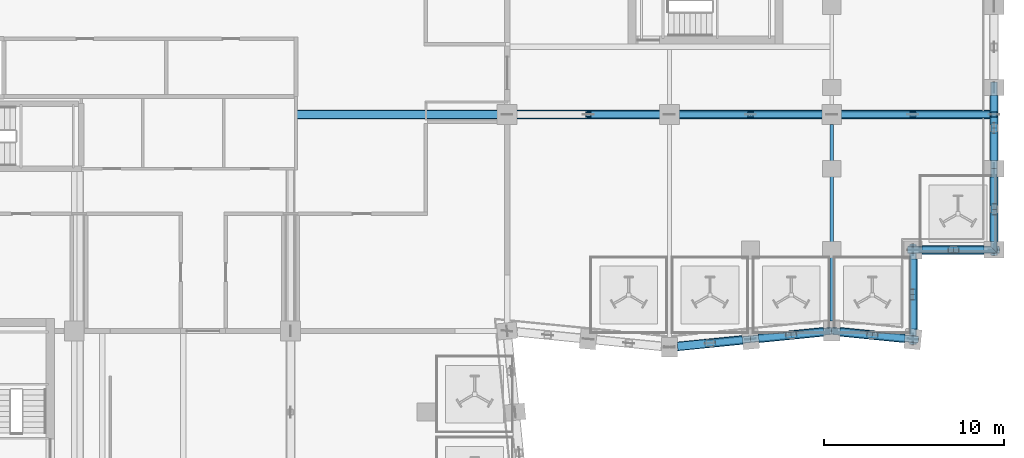
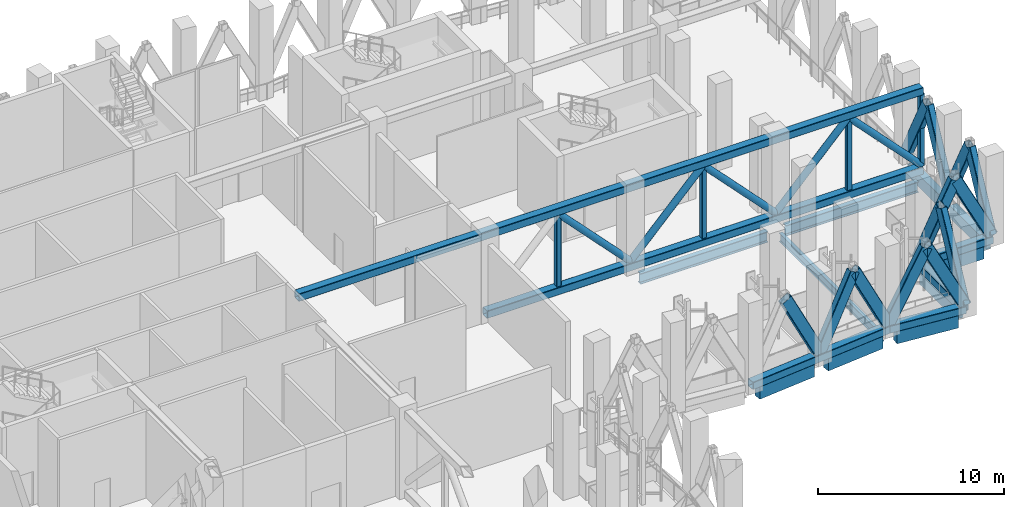
# One storey, part 4 of 28: 28 members, 10 beams.
"""IFC4 building model written with IfcOpenShell, lengths in metres."""

from ifc_helpers import new_model, si_unit, direction, frame, origin, origin_2d, place, context, subcontext, project, spatial, rectangle, hollow_rectangle, hollow_circle, i_section, extrude, material, material_profile, profile_set, type_object, element, save


model = new_model("IFC4")

# Units and contexts
model_context = context("Model", 3, precision=1e-05, world=origin(), true_north=direction((0.0, 1.0)))
body_context = subcontext(model_context, "Body", "Model", "MODEL_VIEW")
ifc_project = project(units=[si_unit("LENGTHUNIT", "METRE"), si_unit("AREAUNIT", "SQUARE_METRE"), si_unit("VOLUMEUNIT", "CUBIC_METRE"), si_unit("PLANEANGLEUNIT", "RADIAN"), si_unit("MASSUNIT", "GRAM", prefix="KILO")], contexts=[model_context])

# Site, building, storey
site_placement = place(None, origin())
site = spatial("IfcSite", under=ifc_project, at=site_placement, CompositionType="ELEMENT")
building_placement = place(site_placement, origin())
building = spatial("IfcBuilding", under=site, at=building_placement, Name="Brondeck Convention Tower", CompositionType="ELEMENT")
storey_placement = place(building_placement, frame((0.0, 0.0, 192.800048828125)))
storey = spatial("IfcBuildingStorey", under=building, at=storey_placement, Name="L47", CompositionType="ELEMENT", Elevation=192.800048828125)

# Members
ifc_material_1 = material(Name="Steel S460", Category="steel")
ifc_material_profile_1 = material_profile(ifc_material_1, hollow_rectangle(XDim=0.39990234375, YDim=0.699951171875, WallThickness=0.030029296875, InnerFilletRadius=0.030029296875, OuterFilletRadius=0.06005859375, at=origin_2d()), Name="RHS 700x400x30")
ifc_profile_set_1 = profile_set([ifc_material_profile_1], Name="Steel S460")
member_type_1 = type_object("IfcMemberType", Name="Chevron brace RHS 700x400x30", PredefinedType="BRACE", material=ifc_profile_set_1)
for number, where, z_axis, x_axis, name in (
    (1, (49.5, 26.550048828125, 0.5), (-0.451749471427, -0.045194554325, 0.89099936438), (0.099546478526, -0.995032913332, 0.0), "Belt truss BT-47-14 diagonal"),
    (2, (49.5, 26.550048828125, 0.5), (0.451750471668, 0.045145636329, 0.891001337186), (-0.099439578731, 0.995043602151, 0.0), "Belt truss BT-47-15 diagonal"),
    (3, (54.0, 27.0, 0.5), (-0.451749471427, -0.045194554325, 0.89099936438), (0.099546478526, -0.995032913332, 0.0), "Belt truss BT-47-15 diagonal"),
    (4, (54.0, 27.0, 0.5), (0.451749471427, -0.045194554325, 0.89099936438), (0.099546478526, 0.995032913332, 0.0), "Belt truss BT-47-16 diagonal"),
    (5, (58.5, 26.550048828125, 0.5), (-0.451750471668, 0.045145636329, 0.891001337186), (-0.099439578731, -0.995043602151, 0.0), "Belt truss BT-47-16 diagonal"),
):
    element("IfcMember", number, at=place(storey_placement, frame(where, z_axis=z_axis, x_axis=x_axis)), inside=storey, type_object=member_type_1, Name=name, PredefinedType="BRACE", context=body_context, shape_type="SweptSolid", body=[
        extrude(hollow_rectangle(XDim=0.39990234375, YDim=0.699951171875, WallThickness=0.030029296875, InnerFilletRadius=0.030029296875, OuterFilletRadius=0.06005859375, at=origin_2d()), origin(), (0.0, 0.0, 1.0), 4.980712890625),
    ])
for number, where, z_axis, x_axis, name in (
    (6, (58.5, 26.550048828125, 0.5), (0.0, 0.454534235534, 0.890729267919), (-1.0, 0.0, 0.0), "Belt truss BT-47-17 diagonal"),
    (7, (58.5, 31.5, 0.5), (0.0, -0.454569809749, 0.890711113698), (1.0, 0.0, 0.0), "Belt truss BT-47-17 diagonal"),
):
    element("IfcMember", number, at=place(storey_placement, frame(where, z_axis=z_axis, x_axis=x_axis)), inside=storey, type_object=member_type_1, Name=name, PredefinedType="BRACE", context=body_context, shape_type="SweptSolid", body=[
        extrude(hollow_rectangle(XDim=0.39990234375, YDim=0.699951171875, WallThickness=0.030029296875, InnerFilletRadius=0.030029296875, OuterFilletRadius=0.06005859375, at=origin_2d()), origin(), (0.0, 0.0, 1.0), 5.44482421875),
    ])
for number, where, z_axis, x_axis, name in (
    (8, (58.5, 31.5, 0.5), (0.453998837511, 0.0, 0.891002275832), (0.0, 1.0, 0.0), "Belt truss BT-47-18 diagonal"),
    (9, (63.0, 31.5, 0.5), (-0.453998837511, 0.0, 0.891002275832), (0.0, -1.0, 0.0), "Belt truss BT-47-18 diagonal"),
    (10, (63.0, 31.5, 0.5), (0.0, 0.453998837511, 0.891002275832), (-1.0, 0.0, 0.0), "Belt truss BT-47-19 diagonal"),
    (11, (63.0, 36.0, 0.5), (0.0, -0.453998837511, 0.891002275832), (1.0, 0.0, 0.0), "Belt truss BT-47-19 diagonal"),
    (12, (63.0, 36.0, 0.5), (0.0, 0.453998837511, 0.891002275832), (-1.0, 0.0, 0.0), "Belt truss BT-47-20 diagonal"),
    (13, (63.0, 40.5, 0.5), (0.0, -0.453998837511, 0.891002275832), (1.0, 0.0, 0.0), "Belt truss BT-47-20 diagonal"),
):
    element("IfcMember", number, at=place(storey_placement, frame(where, z_axis=z_axis, x_axis=x_axis)), inside=storey, type_object=member_type_1, Name=name, PredefinedType="BRACE", context=body_context, shape_type="SweptSolid", body=[
        extrude(hollow_rectangle(XDim=0.39990234375, YDim=0.699951171875, WallThickness=0.030029296875, InnerFilletRadius=0.030029296875, OuterFilletRadius=0.06005859375, at=origin_2d()), origin(), (0.0, 0.0, 1.0), 4.9560546875),
    ])

# Beams
ifc_material_2 = material(Name="Steel S355", Category="steel")
ifc_material_profile_2 = material_profile(ifc_material_2, i_section(OverallWidth=0.2099609375, OverallDepth=0.550048828125, WebThickness=0.010986328125, FlangeThickness=0.01708984375, FilletRadius=0.02392578125, at=origin_2d()), Name="IPE 550")
ifc_profile_set_2 = profile_set([ifc_material_profile_2], Name="Steel S355")
beam_type_1 = type_object("IfcBeamType", Name="Floor beam IPE 550", PredefinedType="BEAM", material=ifc_profile_set_2)
beam_1_placement = place(storey_placement, frame((54.0, 27.550048828125, -0.72509765625), z_axis=(0.0, 1.0, 0.0), x_axis=(-1.0, 0.0, 0.0)))
element("IfcBeam", 14, at=beam_1_placement, inside=storey, type_object=beam_type_1, Name="STR-FB-L47-003", PredefinedType="BEAM", context=body_context, shape_type="SweptSolid", body=[
    extrude(i_section(OverallWidth=0.2099609375, OverallDepth=0.550048828125, WebThickness=0.010986328125, FlangeThickness=0.01708984375, FilletRadius=0.02392578125, at=origin_2d()), origin(), (0.0, 0.0, 1.0), 10.89990234375),
])
ifc_material_profile_3 = material_profile(ifc_material_2, i_section(OverallWidth=0.300048828125, OverallDepth=0.699951171875, WebThickness=0.01708984375, FlangeThickness=0.031982421875, FilletRadius=0.027099609375, at=origin_2d()), Name="HEB 700")
ifc_profile_set_3 = profile_set([ifc_material_profile_3], Name="Steel S355")
beam_type_2 = type_object("IfcBeamType", Name="Girder HEB 700", PredefinedType="BEAM", material=ifc_profile_set_3)
beam_2_placement = place(storey_placement, frame((45.550048828125, 39.0, -0.800048828125), z_axis=(1.0, 0.0, 0.0), x_axis=(0.0, 1.0, 0.0)))
element("IfcBeam", 15, at=beam_2_placement, inside=storey, type_object=beam_type_2, Name="STR-GR-L47-002", PredefinedType="BEAM", context=body_context, shape_type="SweptSolid", body=[
    extrude(i_section(OverallWidth=0.300048828125, OverallDepth=0.699951171875, WebThickness=0.01708984375, FlangeThickness=0.031982421875, FilletRadius=0.027099609375, at=origin_2d()), origin(), (0.0, 0.0, 1.0), 7.89990234375),
])
beam_3_placement = place(storey_placement, frame((54.550048828125, 39.0, -0.800048828125), z_axis=(1.0, 0.0, 0.0), x_axis=(0.0, 1.0, 0.0)))
element("IfcBeam", 16, at=beam_3_placement, inside=storey, type_object=beam_type_2, Name="STR-GR-L47-003", PredefinedType="BEAM", context=body_context, shape_type="SweptSolid", body=[
    extrude(i_section(OverallWidth=0.300048828125, OverallDepth=0.699951171875, WebThickness=0.01708984375, FlangeThickness=0.031982421875, FilletRadius=0.027099609375, at=origin_2d()), origin(), (0.0, 0.0, 1.0), 8.224853515625),
])
ifc_material_3 = material(Name="Concrete C70/85", Category="concrete")
ifc_material_profile_4 = material_profile(ifc_material_3, rectangle(XDim=0.449951171875, YDim=0.800048828125, at=origin_2d()), Name="Precast spandrel 450x800 Concrete C70/85")
ifc_profile_set_4 = profile_set([ifc_material_profile_4], Name="Concrete C70/85")
beam_type_3 = type_object("IfcBeamType", Name="Precast spandrel 450x800 Concrete C70/85", PredefinedType="SPANDREL", material=ifc_profile_set_4)
for number, where, z_axis, x_axis, name in (
    (17, (45.449951171875, 26.14501953125, -0.400146484375), (0.995040528141, 0.099470334057, 0.0), (-0.099470334057, 0.995040528141, 0.0), "STR-SP-L47-014"),
    (18, (49.94775390625, 26.5947265625, -0.400146484375), (0.995033851182, 0.099537103649, 0.0), (-0.099537103649, 0.995033851182, 0.0), "STR-SP-L47-015"),
    (19, (54.449951171875, 26.955078125, -0.400146484375), (0.995033851182, -0.099537103649, 0.0), (0.099537103649, 0.995033851182, 0.0), "STR-SP-L47-016"),
):
    element("IfcBeam", number, at=place(storey_placement, frame(where, z_axis=z_axis, x_axis=x_axis)), inside=storey, type_object=beam_type_3, Name=name, PredefinedType="SPANDREL", context=body_context, shape_type="SweptSolid", body=[
        extrude(rectangle(XDim=0.449951171875, YDim=0.800048828125, at=origin_2d()), origin(), (0.0, 0.0, 1.0), 3.620361328125),
    ])
beam_4_placement = place(storey_placement, frame((58.5, 27.102783203125, -0.400146484375), z_axis=(0.0, 1.0, 0.0), x_axis=(-1.0, 0.0, 0.0)))
element("IfcBeam", 20, at=beam_4_placement, inside=storey, type_object=beam_type_3, Name="STR-SP-L47-017", PredefinedType="SPANDREL", context=body_context, shape_type="SweptSolid", body=[
    extrude(rectangle(XDim=0.449951171875, YDim=0.800048828125, at=origin_2d()), origin(), (0.0, 0.0, 1.0), 3.897216796875),
])
beam_5_placement = place(storey_placement, frame((59.0, 31.5, -0.400146484375), z_axis=(1.0, 0.0, 0.0), x_axis=(0.0, 1.0, 0.0)))
element("IfcBeam", 21, at=beam_5_placement, inside=storey, type_object=beam_type_3, Name="STR-SP-L47-018", PredefinedType="SPANDREL", context=body_context, shape_type="SweptSolid", body=[
    extrude(rectangle(XDim=0.449951171875, YDim=0.800048828125, at=origin_2d()), origin(), (0.0, 0.0, 1.0), 3.449951171875),
])
for number, where, z_axis, x_axis, name in (
    (22, (63.0, 31.949951171875, -0.400146484375), (0.0, 1.0, 0.0), (-1.0, 0.0, 0.0), "STR-SP-L47-019"),
    (23, (63.0, 36.449951171875, -0.400146484375), (0.0, 1.0, 0.0), (-1.0, 0.0, 0.0), "STR-SP-L47-020"),
):
    element("IfcBeam", number, at=place(storey_placement, frame(where, z_axis=z_axis, x_axis=x_axis)), inside=storey, type_object=beam_type_3, Name=name, PredefinedType="SPANDREL", context=body_context, shape_type="SweptSolid", body=[
        extrude(rectangle(XDim=0.449951171875, YDim=0.800048828125, at=origin_2d()), origin(), (0.0, 0.0, 1.0), 3.60009765625),
    ])

# Members
ifc_material_profile_5 = material_profile(ifc_material_1, hollow_rectangle(XDim=0.5, YDim=0.5, WallThickness=0.02490234375, InnerFilletRadius=0.02490234375, OuterFilletRadius=0.050048828125, at=origin_2d()), Name="RHS 500x500x25")
ifc_profile_set_5 = profile_set([ifc_material_profile_5], Name="Steel S460")
member_type_2 = type_object("IfcMemberType", Name="Truss chord RHS 500x500x25", PredefinedType="CHORD", material=ifc_profile_set_5)
member_1_placement = place(storey_placement, frame((45.0, 26.10009765625, 0.25), z_axis=(0.995038259148, 0.099493029059, 0.0), x_axis=(-0.099493029059, 0.995038259148, 0.0)))
element("IfcMember", 24, at=member_1_placement, inside=storey, type_object=member_type_2, Name="Belt truss BT-47-7 chord", PredefinedType="CHORD", context=body_context, shape_type="SweptSolid", body=[
    extrude(hollow_rectangle(XDim=0.5, YDim=0.5, WallThickness=0.02490234375, InnerFilletRadius=0.02490234375, OuterFilletRadius=0.050048828125, at=origin_2d()), origin(), (0.0, 0.0, 1.0), 9.044921875),
])
member_2_placement = place(storey_placement, frame((54.0, 27.0, 0.25), z_axis=(0.995038259148, -0.099493029059, 0.0), x_axis=(0.099493029059, 0.995038259148, 0.0)))
element("IfcMember", 25, at=member_2_placement, inside=storey, type_object=member_type_2, Name="Belt truss BT-47-8 chord", PredefinedType="CHORD", context=body_context, shape_type="SweptSolid", body=[
    extrude(hollow_rectangle(XDim=0.5, YDim=0.5, WallThickness=0.02490234375, InnerFilletRadius=0.02490234375, OuterFilletRadius=0.050048828125, at=origin_2d()), origin(), (0.0, 0.0, 1.0), 4.5224609375),
])
member_3_placement = place(storey_placement, frame((58.5, 26.550048828125, 0.25), z_axis=(0.0, 1.0, 0.0), x_axis=(-1.0, 0.0, 0.0)))
element("IfcMember", 26, at=member_3_placement, inside=storey, type_object=member_type_2, Name="Belt truss BT-47-9 chord", PredefinedType="CHORD", context=body_context, shape_type="SweptSolid", body=[
    extrude(hollow_rectangle(XDim=0.5, YDim=0.5, WallThickness=0.02490234375, InnerFilletRadius=0.02490234375, OuterFilletRadius=0.050048828125, at=origin_2d()), origin(), (0.0, 0.0, 1.0), 4.949951171875),
])
member_4_placement = place(storey_placement, frame((58.5, 31.5, 0.25), z_axis=(1.0, 0.0, 0.0), x_axis=(0.0, 1.0, 0.0)))
element("IfcMember", 27, at=member_4_placement, inside=storey, type_object=member_type_2, Name="Belt truss BT-47-10 chord", PredefinedType="CHORD", context=body_context, shape_type="SweptSolid", body=[
    extrude(hollow_rectangle(XDim=0.5, YDim=0.5, WallThickness=0.02490234375, InnerFilletRadius=0.02490234375, OuterFilletRadius=0.050048828125, at=origin_2d()), origin(), (0.0, 0.0, 1.0), 4.5),
])
member_5_placement = place(storey_placement, frame((24.344970703125, 39.0, 5.449951171875), z_axis=(1.0, 0.0, 0.0), x_axis=(0.0, 1.0, 0.0)))
element("IfcMember", 28, at=member_5_placement, inside=storey, type_object=member_type_2, Name="Outrigger truss OT-47-A1 chord", PredefinedType="CHORD", context=body_context, shape_type="SweptSolid", body=[
    extrude(hollow_rectangle(XDim=0.5, YDim=0.5, WallThickness=0.02490234375, InnerFilletRadius=0.02490234375, OuterFilletRadius=0.050048828125, at=origin_2d()), origin(), (0.0, 0.0, 1.0), 38.655029296875),
])
member_6_placement = place(storey_placement, frame((36.0, 39.0, 0.25), z_axis=(1.0, 0.0, 0.0), x_axis=(0.0, 1.0, 0.0)))
element("IfcMember", 29, at=member_6_placement, inside=storey, type_object=member_type_2, Name="Outrigger truss OT-47-A1 chord", PredefinedType="CHORD", context=body_context, shape_type="SweptSolid", body=[
    extrude(hollow_rectangle(XDim=0.5, YDim=0.5, WallThickness=0.02490234375, InnerFilletRadius=0.02490234375, OuterFilletRadius=0.050048828125, at=origin_2d()), origin(), (0.0, 0.0, 1.0), 27.0),
])
ifc_material_profile_6 = material_profile(ifc_material_1, hollow_circle(Radius=0.203125, WallThickness=0.02490234375, at=origin_2d()), Name="CHS 406.4x25")
ifc_profile_set_6 = profile_set([ifc_material_profile_6], Name="Steel S460")
member_type_3 = type_object("IfcMemberType", Name="Truss diagonal CHS 406.4x25", PredefinedType="BRACE", material=ifc_profile_set_6)
for number, where, z_axis, x_axis, name in (
    (30, (40.5, 39.0, 5.199951171875), (0.691575247608, 0.0, -0.722304421208), (0.0, 1.0, 0.0), "Outrigger truss OT-47-A1 diagonal"),
    (31, (45.0, 39.0, 0.5), (0.691575247608, 0.0, 0.722304421208), (0.0, 1.0, 0.0), "Outrigger truss OT-47-A1 diagonal"),
    (32, (49.5, 39.0, 5.199951171875), (0.691575247608, 0.0, -0.722304421208), (0.0, 1.0, 0.0), "Outrigger truss OT-47-A1 diagonal"),
    (33, (54.0, 39.0, 0.5), (0.691575247608, 0.0, 0.722304421208), (0.0, 1.0, 0.0), "Outrigger truss OT-47-A1 diagonal"),
    (34, (58.5, 39.0, 5.199951171875), (0.691575247608, 0.0, -0.722304421208), (0.0, 1.0, 0.0), "Outrigger truss OT-47-A1 diagonal"),
):
    element("IfcMember", number, at=place(storey_placement, frame(where, z_axis=z_axis, x_axis=x_axis)), inside=storey, type_object=member_type_3, Name=name, PredefinedType="BRACE", context=body_context, shape_type="SweptSolid", body=[
        extrude(hollow_circle(Radius=0.203125, WallThickness=0.02490234375, at=origin_2d()), origin(), (0.0, 0.0, 1.0), 6.5068359375),
    ])
ifc_material_profile_7 = material_profile(ifc_material_1, hollow_rectangle(XDim=0.300048828125, YDim=0.300048828125, WallThickness=0.01611328125, InnerFilletRadius=0.01611328125, OuterFilletRadius=0.031982421875, at=origin_2d()), Name="RHS 300x300x16")
ifc_profile_set_7 = profile_set([ifc_material_profile_7], Name="Steel S460")
member_type_4 = type_object("IfcMemberType", Name="Truss vertical RHS 300x300x16", PredefinedType="STRUT", material=ifc_profile_set_7)
for number, where, z_axis, x_axis, name in (
    (35, (40.5, 39.0, 0.5), (0.0, 0.0, 1.0), (1.0, 0.0, 0.0), "Outrigger truss OT-47-A1 vertical"),
    (36, (49.5, 39.0, 0.5), (0.0, 0.0, 1.0), (1.0, 0.0, 0.0), "Outrigger truss OT-47-A1 vertical"),
    (37, (58.5, 39.0, 0.5), (0.0, 0.0, 1.0), (1.0, 0.0, 0.0), "Outrigger truss OT-47-A1 vertical"),
    (38, (63.0, 39.0, 0.5), (0.0, 0.0, 1.0), (1.0, 0.0, 0.0), "Outrigger truss OT-47-A1 vertical"),
):
    element("IfcMember", number, at=place(storey_placement, frame(where, z_axis=z_axis, x_axis=x_axis)), inside=storey, type_object=member_type_4, Name=name, PredefinedType="STRUT", context=body_context, shape_type="SweptSolid", body=[
        extrude(hollow_rectangle(XDim=0.300048828125, YDim=0.300048828125, WallThickness=0.01611328125, InnerFilletRadius=0.01611328125, OuterFilletRadius=0.031982421875, at=origin_2d()), origin(), (0.0, 0.0, 1.0), 4.699951171875),
    ])

save(model, "model.ifc")
